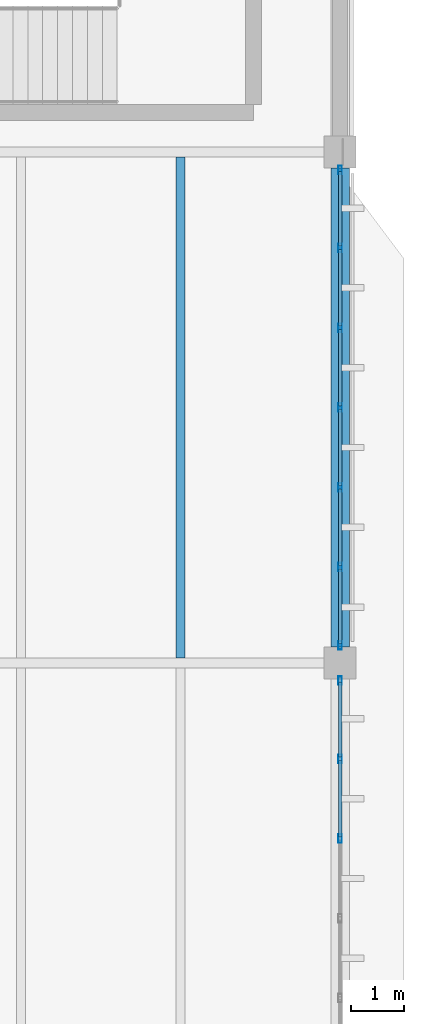
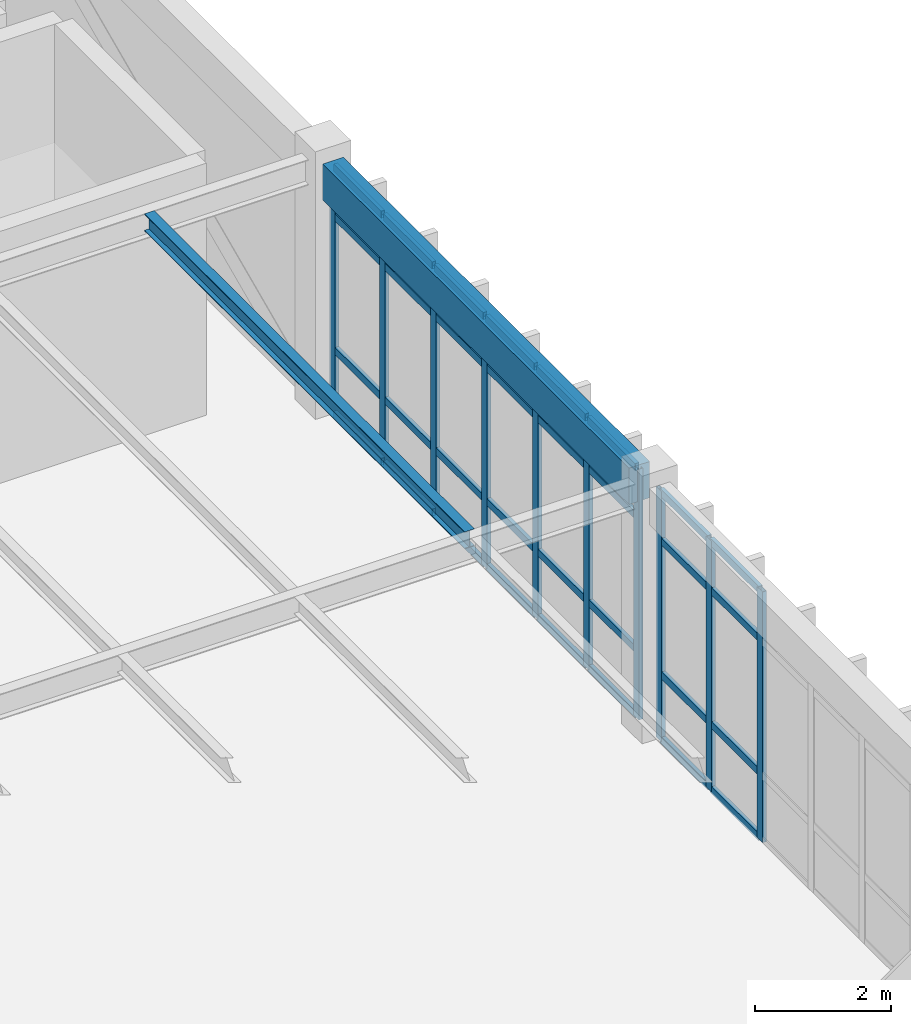
# One storey, part 126 of 236: 42 members, 2 beams, 2 elements without a shape of their own.
"""IFC4 building model written with IfcOpenShell, lengths in metres."""

from ifc_helpers import new_model, si_unit, direction, frame, origin, origin_2d, place, context, subcontext, project, spatial, rectangle, hollow_rectangle, i_section, extrude, material, layer, layer_set, material_profile, profile_set, type_object, element, aggregate, save


model = new_model("IFC4")

# Units and contexts
model_context = context("Model", 3, precision=1e-05, world=origin(), true_north=direction((0.0, 1.0)))
body_context = subcontext(model_context, "Body", "Model", "MODEL_VIEW")
ifc_project = project(units=[si_unit("LENGTHUNIT", "METRE"), si_unit("AREAUNIT", "SQUARE_METRE"), si_unit("VOLUMEUNIT", "CUBIC_METRE"), si_unit("PLANEANGLEUNIT", "RADIAN"), si_unit("MASSUNIT", "GRAM", prefix="KILO")], contexts=[model_context])

# Site, building, storey
site_placement = place(None, origin())
site = spatial("IfcSite", under=ifc_project, at=site_placement, CompositionType="ELEMENT")
building_placement = place(site_placement, origin())
building = spatial("IfcBuilding", under=site, at=building_placement, Name="Pandanus Reach Market Hall", CompositionType="ELEMENT")
storey_placement = place(building_placement, frame((0.0, 0.0, 5.39990234375)))
storey = spatial("IfcBuildingStorey", under=building, at=storey_placement, Name="L01", CompositionType="ELEMENT", Elevation=5.39990234375)

# Beam
ifc_material_1 = material(Name="Concrete N40 (40 MPa)", Category="concrete")
ifc_material_profile_1 = material_profile(ifc_material_1, rectangle(XDim=0.35009765625, YDim=0.64990234375, at=origin_2d()), Name="RC350x650", Category="LoadBearing")
ifc_profile_set_1 = profile_set([ifc_material_profile_1], Name="Concrete N40 (40 MPa)")
beam_type_1 = type_object("IfcBeamType", Name="BM-RC350-E", PredefinedType="SPANDREL", material=ifc_profile_set_1)
beam_1_placement = place(storey_placement, frame((180.0, 19.498046875, 4.215087890625), z_axis=(0.0, 1.0, 0.0), x_axis=(-1.0, 0.0, 0.0)))
element("IfcBeam", 1, at=beam_1_placement, inside=storey, type_object=beam_type_1, Name="Framing beam BM-RC350-E L01.364", PredefinedType="SPANDREL", context=body_context, shape_type="SweptSolid", body=[
    extrude(rectangle(XDim=0.35009765625, YDim=0.64990234375, at=origin_2d()), origin(), (0.0, 0.0, 1.0), 9.00390625),
])

# Curtain wall, members
ifc_material_2 = material(Name="Bronze anodised aluminium and low-E glass", Category="aluminium")
ifc_layer = layer(ifc_material_2, 0.159912109375, Name="CW-28")
ifc_layer_set = layer_set([ifc_layer], Name="Bronze anodised aluminium and low-E glass")
curtain_wall_type = type_object("IfcCurtainWallType", Name="CW-28", PredefinedType="NOTDEFINED", material=ifc_layer_set)
curtain_wall_1_placement = place(storey_placement, origin())
curtain_wall_1 = element("IfcCurtainWall", 2, at=curtain_wall_1_placement, inside=storey, type_object=curtain_wall_type, Name="Glazed curtain wall CW-28 CW-0085", PredefinedType="NOTDEFINED")
ifc_material_3 = material(Name="Bronze anodised aluminium", Category="aluminium")
ifc_material_profile_2 = material_profile(ifc_material_3, hollow_rectangle(XDim=0.06494140625, YDim=0.159912109375, WallThickness=0.00390625, at=origin_2d()), Name="ALU65x160", Category="LoadBearing")
ifc_profile_set_2 = profile_set([ifc_material_profile_2], Name="Bronze anodised aluminium")
member_type_1 = type_object("IfcMemberType", Name="CW-M1", PredefinedType="MULLION", material=ifc_profile_set_2)
member_1_placement = place(storey_placement, frame((180.0, 15.89990234375, 0.0), z_axis=(0.0, 0.0, 1.0), x_axis=(-1.0, 0.0, 0.0)))
member_1 = element("IfcMember", 3, at=member_1_placement, type_object=member_type_1, Name="CW-28 mullion 5", PredefinedType="MULLION", context=body_context, shape_type="SweptSolid", body=[
    extrude(hollow_rectangle(XDim=0.06494140625, YDim=0.159912109375, WallThickness=0.00390625, at=origin_2d()), origin(), (0.0, 0.0, 1.0), 4.5),
])
member_2_placement = place(storey_placement, frame((180.0, 17.39990234375, 0.0), z_axis=(0.0, 0.0, 1.0), x_axis=(-1.0, 0.0, 0.0)))
member_2 = element("IfcMember", 4, at=member_2_placement, type_object=member_type_1, Name="CW-28 mullion 6", PredefinedType="MULLION", context=body_context, shape_type="SweptSolid", body=[
    extrude(hollow_rectangle(XDim=0.06494140625, YDim=0.159912109375, WallThickness=0.00390625, at=origin_2d()), origin(), (0.0, 0.0, 1.0), 4.5),
])
member_3_placement = place(storey_placement, frame((180.0, 18.867431640625, 0.0), z_axis=(0.0, 0.0, 1.0), x_axis=(-1.0, 0.0, 0.0)))
member_3 = element("IfcMember", 5, at=member_3_placement, type_object=member_type_1, Name="CW-28 mullion 7", PredefinedType="MULLION", context=body_context, shape_type="SweptSolid", body=[
    extrude(hollow_rectangle(XDim=0.06494140625, YDim=0.159912109375, WallThickness=0.00390625, at=origin_2d()), origin(), (0.0, 0.0, 1.0), 4.5),
])

curtain_wall_2_placement = place(storey_placement, origin())
curtain_wall_2 = element("IfcCurtainWall", 6, at=curtain_wall_2_placement, inside=storey, type_object=curtain_wall_type, Name="Glazed curtain wall CW-28 CW-0086", PredefinedType="NOTDEFINED")
member_4_placement = place(storey_placement, frame((180.0, 19.532470703125, 0.0), z_axis=(0.0, 0.0, 1.0), x_axis=(-1.0, 0.0, 0.0)))
member_4 = element("IfcMember", 7, at=member_4_placement, type_object=member_type_1, Name="CW-28 mullion 1", PredefinedType="MULLION", context=body_context, shape_type="SweptSolid", body=[
    extrude(hollow_rectangle(XDim=0.06494140625, YDim=0.159912109375, WallThickness=0.00390625, at=origin_2d()), origin(), (0.0, 0.0, 1.0), 4.5),
])
member_5_placement = place(storey_placement, frame((180.0, 21.0, 0.0), z_axis=(0.0, 0.0, 1.0), x_axis=(-1.0, 0.0, 0.0)))
member_5 = element("IfcMember", 8, at=member_5_placement, type_object=member_type_1, Name="CW-28 mullion 2", PredefinedType="MULLION", context=body_context, shape_type="SweptSolid", body=[
    extrude(hollow_rectangle(XDim=0.06494140625, YDim=0.159912109375, WallThickness=0.00390625, at=origin_2d()), origin(), (0.0, 0.0, 1.0), 4.5),
])
member_6_placement = place(storey_placement, frame((180.0, 22.5, 0.0), z_axis=(0.0, 0.0, 1.0), x_axis=(-1.0, 0.0, 0.0)))
member_6 = element("IfcMember", 9, at=member_6_placement, type_object=member_type_1, Name="CW-28 mullion 3", PredefinedType="MULLION", context=body_context, shape_type="SweptSolid", body=[
    extrude(hollow_rectangle(XDim=0.06494140625, YDim=0.159912109375, WallThickness=0.00390625, at=origin_2d()), origin(), (0.0, 0.0, 1.0), 4.5),
])
member_7_placement = place(storey_placement, frame((180.0, 24.0, 0.0), z_axis=(0.0, 0.0, 1.0), x_axis=(-1.0, 0.0, 0.0)))
member_7 = element("IfcMember", 10, at=member_7_placement, type_object=member_type_1, Name="CW-28 mullion 4", PredefinedType="MULLION", context=body_context, shape_type="SweptSolid", body=[
    extrude(hollow_rectangle(XDim=0.06494140625, YDim=0.159912109375, WallThickness=0.00390625, at=origin_2d()), origin(), (0.0, 0.0, 1.0), 4.5),
])
member_8_placement = place(storey_placement, frame((180.0, 25.5, 0.0), z_axis=(0.0, 0.0, 1.0), x_axis=(-1.0, 0.0, 0.0)))
member_8 = element("IfcMember", 11, at=member_8_placement, type_object=member_type_1, Name="CW-28 mullion 5", PredefinedType="MULLION", context=body_context, shape_type="SweptSolid", body=[
    extrude(hollow_rectangle(XDim=0.06494140625, YDim=0.159912109375, WallThickness=0.00390625, at=origin_2d()), origin(), (0.0, 0.0, 1.0), 4.5),
])
member_9_placement = place(storey_placement, frame((180.0, 27.0, 0.0), z_axis=(0.0, 0.0, 1.0), x_axis=(-1.0, 0.0, 0.0)))
member_9 = element("IfcMember", 12, at=member_9_placement, type_object=member_type_1, Name="CW-28 mullion 6", PredefinedType="MULLION", context=body_context, shape_type="SweptSolid", body=[
    extrude(hollow_rectangle(XDim=0.06494140625, YDim=0.159912109375, WallThickness=0.00390625, at=origin_2d()), origin(), (0.0, 0.0, 1.0), 4.5),
])
member_10_placement = place(storey_placement, frame((180.0, 28.467529296875, 0.0), z_axis=(0.0, 0.0, 1.0), x_axis=(-1.0, 0.0, 0.0)))
member_10 = element("IfcMember", 13, at=member_10_placement, type_object=member_type_1, Name="CW-28 mullion 7", PredefinedType="MULLION", context=body_context, shape_type="SweptSolid", body=[
    extrude(hollow_rectangle(XDim=0.06494140625, YDim=0.159912109375, WallThickness=0.00390625, at=origin_2d()), origin(), (0.0, 0.0, 1.0), 4.5),
])

# Member
ifc_material_profile_3 = material_profile(ifc_material_3, hollow_rectangle(XDim=0.06494140625, YDim=0.1298828125, WallThickness=0.00390625, at=origin_2d()), Name="ALU65x130", Category="LoadBearing")
ifc_profile_set_3 = profile_set([ifc_material_profile_3], Name="Bronze anodised aluminium")
member_type_2 = type_object("IfcMemberType", Name="CW-T1", PredefinedType="USERDEFINED", material=ifc_profile_set_3)
member_11_placement = place(storey_placement, frame((180.0, 15.9326171875, 0.03271484375), z_axis=(0.0, 1.0, 0.0), x_axis=(-1.0, 0.0, 0.0)))
member_11 = element("IfcMember", 14, at=member_11_placement, type_object=member_type_2, Name="CW-28 transom 5.1", ObjectType="TRANSOM", PredefinedType="USERDEFINED", context=body_context, shape_type="SweptSolid", body=[
    extrude(hollow_rectangle(XDim=0.06494140625, YDim=0.1298828125, WallThickness=0.00390625, at=origin_2d()), origin(), (0.0, 0.0, 1.0), 1.434814453125),
])

member_12_placement = place(storey_placement, frame((180.0, 15.9326171875, 1.2001953125), z_axis=(0.0, 1.0, 0.0), x_axis=(-1.0, 0.0, 0.0)))
member_12 = element("IfcMember", 15, at=member_12_placement, type_object=member_type_2, Name="CW-28 transom 5.2", ObjectType="TRANSOM", PredefinedType="USERDEFINED", context=body_context, shape_type="SweptSolid", body=[
    extrude(hollow_rectangle(XDim=0.06494140625, YDim=0.1298828125, WallThickness=0.00390625, at=origin_2d()), origin(), (0.0, 0.0, 1.0), 1.434814453125),
])

member_13_placement = place(storey_placement, frame((180.0, 15.9326171875, 3.60009765625), z_axis=(0.0, 1.0, 0.0), x_axis=(-1.0, 0.0, 0.0)))
member_13 = element("IfcMember", 16, at=member_13_placement, type_object=member_type_2, Name="CW-28 transom 5.3", ObjectType="TRANSOM", PredefinedType="USERDEFINED", context=body_context, shape_type="SweptSolid", body=[
    extrude(hollow_rectangle(XDim=0.06494140625, YDim=0.1298828125, WallThickness=0.00390625, at=origin_2d()), origin(), (0.0, 0.0, 1.0), 1.434814453125),
])

member_14_placement = place(storey_placement, frame((180.0, 15.9326171875, 4.467529296875), z_axis=(0.0, 1.0, 0.0), x_axis=(-1.0, 0.0, 0.0)))
member_14 = element("IfcMember", 17, at=member_14_placement, type_object=member_type_2, Name="CW-28 transom 5.4", ObjectType="TRANSOM", PredefinedType="USERDEFINED", context=body_context, shape_type="SweptSolid", body=[
    extrude(hollow_rectangle(XDim=0.06494140625, YDim=0.1298828125, WallThickness=0.00390625, at=origin_2d()), origin(), (0.0, 0.0, 1.0), 1.434814453125),
])

member_15_placement = place(storey_placement, frame((180.0, 17.4326171875, 0.03271484375), z_axis=(0.0, 1.0, 0.0), x_axis=(-1.0, 0.0, 0.0)))
member_15 = element("IfcMember", 18, at=member_15_placement, type_object=member_type_2, Name="CW-28 transom 6.1", ObjectType="TRANSOM", PredefinedType="USERDEFINED", context=body_context, shape_type="SweptSolid", body=[
    extrude(hollow_rectangle(XDim=0.06494140625, YDim=0.1298828125, WallThickness=0.00390625, at=origin_2d()), origin(), (0.0, 0.0, 1.0), 1.40234375),
])

member_16_placement = place(storey_placement, frame((180.0, 17.4326171875, 1.2001953125), z_axis=(0.0, 1.0, 0.0), x_axis=(-1.0, 0.0, 0.0)))
member_16 = element("IfcMember", 19, at=member_16_placement, type_object=member_type_2, Name="CW-28 transom 6.2", ObjectType="TRANSOM", PredefinedType="USERDEFINED", context=body_context, shape_type="SweptSolid", body=[
    extrude(hollow_rectangle(XDim=0.06494140625, YDim=0.1298828125, WallThickness=0.00390625, at=origin_2d()), origin(), (0.0, 0.0, 1.0), 1.40234375),
])

member_17_placement = place(storey_placement, frame((180.0, 17.4326171875, 3.60009765625), z_axis=(0.0, 1.0, 0.0), x_axis=(-1.0, 0.0, 0.0)))
member_17 = element("IfcMember", 20, at=member_17_placement, type_object=member_type_2, Name="CW-28 transom 6.3", ObjectType="TRANSOM", PredefinedType="USERDEFINED", context=body_context, shape_type="SweptSolid", body=[
    extrude(hollow_rectangle(XDim=0.06494140625, YDim=0.1298828125, WallThickness=0.00390625, at=origin_2d()), origin(), (0.0, 0.0, 1.0), 1.40234375),
])

member_18_placement = place(storey_placement, frame((180.0, 17.4326171875, 4.467529296875), z_axis=(0.0, 1.0, 0.0), x_axis=(-1.0, 0.0, 0.0)))
member_18 = element("IfcMember", 21, at=member_18_placement, type_object=member_type_2, Name="CW-28 transom 6.4", ObjectType="TRANSOM", PredefinedType="USERDEFINED", context=body_context, shape_type="SweptSolid", body=[
    extrude(hollow_rectangle(XDim=0.06494140625, YDim=0.1298828125, WallThickness=0.00390625, at=origin_2d()), origin(), (0.0, 0.0, 1.0), 1.40234375),
])

aggregate(curtain_wall_1, [member_1, member_2, member_3, member_11, member_12, member_13, member_14, member_15, member_16, member_17, member_18])

member_19_placement = place(storey_placement, frame((180.0, 19.56494140625, 0.03271484375), z_axis=(0.0, 1.0, 0.0), x_axis=(-1.0, 0.0, 0.0)))
member_19 = element("IfcMember", 22, at=member_19_placement, type_object=member_type_2, Name="CW-28 transom 1.1", ObjectType="TRANSOM", PredefinedType="USERDEFINED", context=body_context, shape_type="SweptSolid", body=[
    extrude(hollow_rectangle(XDim=0.06494140625, YDim=0.1298828125, WallThickness=0.00390625, at=origin_2d()), origin(), (0.0, 0.0, 1.0), 1.402587890625),
])

member_20_placement = place(storey_placement, frame((180.0, 19.56494140625, 1.2001953125), z_axis=(0.0, 1.0, 0.0), x_axis=(-1.0, 0.0, 0.0)))
member_20 = element("IfcMember", 23, at=member_20_placement, type_object=member_type_2, Name="CW-28 transom 1.2", ObjectType="TRANSOM", PredefinedType="USERDEFINED", context=body_context, shape_type="SweptSolid", body=[
    extrude(hollow_rectangle(XDim=0.06494140625, YDim=0.1298828125, WallThickness=0.00390625, at=origin_2d()), origin(), (0.0, 0.0, 1.0), 1.402587890625),
])

member_21_placement = place(storey_placement, frame((180.0, 19.56494140625, 3.60009765625), z_axis=(0.0, 1.0, 0.0), x_axis=(-1.0, 0.0, 0.0)))
member_21 = element("IfcMember", 24, at=member_21_placement, type_object=member_type_2, Name="CW-28 transom 1.3", ObjectType="TRANSOM", PredefinedType="USERDEFINED", context=body_context, shape_type="SweptSolid", body=[
    extrude(hollow_rectangle(XDim=0.06494140625, YDim=0.1298828125, WallThickness=0.00390625, at=origin_2d()), origin(), (0.0, 0.0, 1.0), 1.402587890625),
])

member_22_placement = place(storey_placement, frame((180.0, 19.56494140625, 4.467529296875), z_axis=(0.0, 1.0, 0.0), x_axis=(-1.0, 0.0, 0.0)))
member_22 = element("IfcMember", 25, at=member_22_placement, type_object=member_type_2, Name="CW-28 transom 1.4", ObjectType="TRANSOM", PredefinedType="USERDEFINED", context=body_context, shape_type="SweptSolid", body=[
    extrude(hollow_rectangle(XDim=0.06494140625, YDim=0.1298828125, WallThickness=0.00390625, at=origin_2d()), origin(), (0.0, 0.0, 1.0), 1.402587890625),
])

member_23_placement = place(storey_placement, frame((180.0, 21.032470703125, 0.03271484375), z_axis=(0.0, 1.0, 0.0), x_axis=(-1.0, 0.0, 0.0)))
member_23 = element("IfcMember", 26, at=member_23_placement, type_object=member_type_2, Name="CW-28 transom 2.1", ObjectType="TRANSOM", PredefinedType="USERDEFINED", context=body_context, shape_type="SweptSolid", body=[
    extrude(hollow_rectangle(XDim=0.06494140625, YDim=0.1298828125, WallThickness=0.00390625, at=origin_2d()), origin(), (0.0, 0.0, 1.0), 1.43505859375),
])

member_24_placement = place(storey_placement, frame((180.0, 21.032470703125, 1.2001953125), z_axis=(0.0, 1.0, 0.0), x_axis=(-1.0, 0.0, 0.0)))
member_24 = element("IfcMember", 27, at=member_24_placement, type_object=member_type_2, Name="CW-28 transom 2.2", ObjectType="TRANSOM", PredefinedType="USERDEFINED", context=body_context, shape_type="SweptSolid", body=[
    extrude(hollow_rectangle(XDim=0.06494140625, YDim=0.1298828125, WallThickness=0.00390625, at=origin_2d()), origin(), (0.0, 0.0, 1.0), 1.43505859375),
])

member_25_placement = place(storey_placement, frame((180.0, 21.032470703125, 3.60009765625), z_axis=(0.0, 1.0, 0.0), x_axis=(-1.0, 0.0, 0.0)))
member_25 = element("IfcMember", 28, at=member_25_placement, type_object=member_type_2, Name="CW-28 transom 2.3", ObjectType="TRANSOM", PredefinedType="USERDEFINED", context=body_context, shape_type="SweptSolid", body=[
    extrude(hollow_rectangle(XDim=0.06494140625, YDim=0.1298828125, WallThickness=0.00390625, at=origin_2d()), origin(), (0.0, 0.0, 1.0), 1.43505859375),
])

member_26_placement = place(storey_placement, frame((180.0, 21.032470703125, 4.467529296875), z_axis=(0.0, 1.0, 0.0), x_axis=(-1.0, 0.0, 0.0)))
member_26 = element("IfcMember", 29, at=member_26_placement, type_object=member_type_2, Name="CW-28 transom 2.4", ObjectType="TRANSOM", PredefinedType="USERDEFINED", context=body_context, shape_type="SweptSolid", body=[
    extrude(hollow_rectangle(XDim=0.06494140625, YDim=0.1298828125, WallThickness=0.00390625, at=origin_2d()), origin(), (0.0, 0.0, 1.0), 1.43505859375),
])

member_27_placement = place(storey_placement, frame((180.0, 22.532470703125, 0.03271484375), z_axis=(0.0, 1.0, 0.0), x_axis=(-1.0, 0.0, 0.0)))
member_27 = element("IfcMember", 30, at=member_27_placement, type_object=member_type_2, Name="CW-28 transom 3.1", ObjectType="TRANSOM", PredefinedType="USERDEFINED", context=body_context, shape_type="SweptSolid", body=[
    extrude(hollow_rectangle(XDim=0.06494140625, YDim=0.1298828125, WallThickness=0.00390625, at=origin_2d()), origin(), (0.0, 0.0, 1.0), 1.43505859375),
])

member_28_placement = place(storey_placement, frame((180.0, 22.532470703125, 1.2001953125), z_axis=(0.0, 1.0, 0.0), x_axis=(-1.0, 0.0, 0.0)))
member_28 = element("IfcMember", 31, at=member_28_placement, type_object=member_type_2, Name="CW-28 transom 3.2", ObjectType="TRANSOM", PredefinedType="USERDEFINED", context=body_context, shape_type="SweptSolid", body=[
    extrude(hollow_rectangle(XDim=0.06494140625, YDim=0.1298828125, WallThickness=0.00390625, at=origin_2d()), origin(), (0.0, 0.0, 1.0), 1.43505859375),
])

member_29_placement = place(storey_placement, frame((180.0, 22.532470703125, 3.60009765625), z_axis=(0.0, 1.0, 0.0), x_axis=(-1.0, 0.0, 0.0)))
member_29 = element("IfcMember", 32, at=member_29_placement, type_object=member_type_2, Name="CW-28 transom 3.3", ObjectType="TRANSOM", PredefinedType="USERDEFINED", context=body_context, shape_type="SweptSolid", body=[
    extrude(hollow_rectangle(XDim=0.06494140625, YDim=0.1298828125, WallThickness=0.00390625, at=origin_2d()), origin(), (0.0, 0.0, 1.0), 1.43505859375),
])

member_30_placement = place(storey_placement, frame((180.0, 22.532470703125, 4.467529296875), z_axis=(0.0, 1.0, 0.0), x_axis=(-1.0, 0.0, 0.0)))
member_30 = element("IfcMember", 33, at=member_30_placement, type_object=member_type_2, Name="CW-28 transom 3.4", ObjectType="TRANSOM", PredefinedType="USERDEFINED", context=body_context, shape_type="SweptSolid", body=[
    extrude(hollow_rectangle(XDim=0.06494140625, YDim=0.1298828125, WallThickness=0.00390625, at=origin_2d()), origin(), (0.0, 0.0, 1.0), 1.43505859375),
])

member_31_placement = place(storey_placement, frame((180.0, 24.032470703125, 0.03271484375), z_axis=(0.0, 1.0, 0.0), x_axis=(-1.0, 0.0, 0.0)))
member_31 = element("IfcMember", 34, at=member_31_placement, type_object=member_type_2, Name="CW-28 transom 4.1", ObjectType="TRANSOM", PredefinedType="USERDEFINED", context=body_context, shape_type="SweptSolid", body=[
    extrude(hollow_rectangle(XDim=0.06494140625, YDim=0.1298828125, WallThickness=0.00390625, at=origin_2d()), origin(), (0.0, 0.0, 1.0), 1.43505859375),
])

member_32_placement = place(storey_placement, frame((180.0, 24.032470703125, 1.2001953125), z_axis=(0.0, 1.0, 0.0), x_axis=(-1.0, 0.0, 0.0)))
member_32 = element("IfcMember", 35, at=member_32_placement, type_object=member_type_2, Name="CW-28 transom 4.2", ObjectType="TRANSOM", PredefinedType="USERDEFINED", context=body_context, shape_type="SweptSolid", body=[
    extrude(hollow_rectangle(XDim=0.06494140625, YDim=0.1298828125, WallThickness=0.00390625, at=origin_2d()), origin(), (0.0, 0.0, 1.0), 1.43505859375),
])

member_33_placement = place(storey_placement, frame((180.0, 24.032470703125, 3.60009765625), z_axis=(0.0, 1.0, 0.0), x_axis=(-1.0, 0.0, 0.0)))
member_33 = element("IfcMember", 36, at=member_33_placement, type_object=member_type_2, Name="CW-28 transom 4.3", ObjectType="TRANSOM", PredefinedType="USERDEFINED", context=body_context, shape_type="SweptSolid", body=[
    extrude(hollow_rectangle(XDim=0.06494140625, YDim=0.1298828125, WallThickness=0.00390625, at=origin_2d()), origin(), (0.0, 0.0, 1.0), 1.43505859375),
])

member_34_placement = place(storey_placement, frame((180.0, 24.032470703125, 4.467529296875), z_axis=(0.0, 1.0, 0.0), x_axis=(-1.0, 0.0, 0.0)))
member_34 = element("IfcMember", 37, at=member_34_placement, type_object=member_type_2, Name="CW-28 transom 4.4", ObjectType="TRANSOM", PredefinedType="USERDEFINED", context=body_context, shape_type="SweptSolid", body=[
    extrude(hollow_rectangle(XDim=0.06494140625, YDim=0.1298828125, WallThickness=0.00390625, at=origin_2d()), origin(), (0.0, 0.0, 1.0), 1.43505859375),
])

member_35_placement = place(storey_placement, frame((180.0, 25.532470703125, 0.03271484375), z_axis=(0.0, 1.0, 0.0), x_axis=(-1.0, 0.0, 0.0)))
member_35 = element("IfcMember", 38, at=member_35_placement, type_object=member_type_2, Name="CW-28 transom 5.1", ObjectType="TRANSOM", PredefinedType="USERDEFINED", context=body_context, shape_type="SweptSolid", body=[
    extrude(hollow_rectangle(XDim=0.06494140625, YDim=0.1298828125, WallThickness=0.00390625, at=origin_2d()), origin(), (0.0, 0.0, 1.0), 1.43505859375),
])

member_36_placement = place(storey_placement, frame((180.0, 25.532470703125, 1.2001953125), z_axis=(0.0, 1.0, 0.0), x_axis=(-1.0, 0.0, 0.0)))
member_36 = element("IfcMember", 39, at=member_36_placement, type_object=member_type_2, Name="CW-28 transom 5.2", ObjectType="TRANSOM", PredefinedType="USERDEFINED", context=body_context, shape_type="SweptSolid", body=[
    extrude(hollow_rectangle(XDim=0.06494140625, YDim=0.1298828125, WallThickness=0.00390625, at=origin_2d()), origin(), (0.0, 0.0, 1.0), 1.43505859375),
])

member_37_placement = place(storey_placement, frame((180.0, 25.532470703125, 3.60009765625), z_axis=(0.0, 1.0, 0.0), x_axis=(-1.0, 0.0, 0.0)))
member_37 = element("IfcMember", 40, at=member_37_placement, type_object=member_type_2, Name="CW-28 transom 5.3", ObjectType="TRANSOM", PredefinedType="USERDEFINED", context=body_context, shape_type="SweptSolid", body=[
    extrude(hollow_rectangle(XDim=0.06494140625, YDim=0.1298828125, WallThickness=0.00390625, at=origin_2d()), origin(), (0.0, 0.0, 1.0), 1.43505859375),
])

member_38_placement = place(storey_placement, frame((180.0, 25.532470703125, 4.467529296875), z_axis=(0.0, 1.0, 0.0), x_axis=(-1.0, 0.0, 0.0)))
member_38 = element("IfcMember", 41, at=member_38_placement, type_object=member_type_2, Name="CW-28 transom 5.4", ObjectType="TRANSOM", PredefinedType="USERDEFINED", context=body_context, shape_type="SweptSolid", body=[
    extrude(hollow_rectangle(XDim=0.06494140625, YDim=0.1298828125, WallThickness=0.00390625, at=origin_2d()), origin(), (0.0, 0.0, 1.0), 1.43505859375),
])

member_39_placement = place(storey_placement, frame((180.0, 27.032470703125, 0.03271484375), z_axis=(0.0, 1.0, 0.0), x_axis=(-1.0, 0.0, 0.0)))
member_39 = element("IfcMember", 42, at=member_39_placement, type_object=member_type_2, Name="CW-28 transom 6.1", ObjectType="TRANSOM", PredefinedType="USERDEFINED", context=body_context, shape_type="SweptSolid", body=[
    extrude(hollow_rectangle(XDim=0.06494140625, YDim=0.1298828125, WallThickness=0.00390625, at=origin_2d()), origin(), (0.0, 0.0, 1.0), 1.402587890625),
])

member_40_placement = place(storey_placement, frame((180.0, 27.032470703125, 1.2001953125), z_axis=(0.0, 1.0, 0.0), x_axis=(-1.0, 0.0, 0.0)))
member_40 = element("IfcMember", 43, at=member_40_placement, type_object=member_type_2, Name="CW-28 transom 6.2", ObjectType="TRANSOM", PredefinedType="USERDEFINED", context=body_context, shape_type="SweptSolid", body=[
    extrude(hollow_rectangle(XDim=0.06494140625, YDim=0.1298828125, WallThickness=0.00390625, at=origin_2d()), origin(), (0.0, 0.0, 1.0), 1.402587890625),
])

member_41_placement = place(storey_placement, frame((180.0, 27.032470703125, 3.60009765625), z_axis=(0.0, 1.0, 0.0), x_axis=(-1.0, 0.0, 0.0)))
member_41 = element("IfcMember", 44, at=member_41_placement, type_object=member_type_2, Name="CW-28 transom 6.3", ObjectType="TRANSOM", PredefinedType="USERDEFINED", context=body_context, shape_type="SweptSolid", body=[
    extrude(hollow_rectangle(XDim=0.06494140625, YDim=0.1298828125, WallThickness=0.00390625, at=origin_2d()), origin(), (0.0, 0.0, 1.0), 1.402587890625),
])

member_42_placement = place(storey_placement, frame((180.0, 27.032470703125, 4.467529296875), z_axis=(0.0, 1.0, 0.0), x_axis=(-1.0, 0.0, 0.0)))
member_42 = element("IfcMember", 45, at=member_42_placement, type_object=member_type_2, Name="CW-28 transom 6.4", ObjectType="TRANSOM", PredefinedType="USERDEFINED", context=body_context, shape_type="SweptSolid", body=[
    extrude(hollow_rectangle(XDim=0.06494140625, YDim=0.1298828125, WallThickness=0.00390625, at=origin_2d()), origin(), (0.0, 0.0, 1.0), 1.402587890625),
])

aggregate(curtain_wall_2, [member_4, member_5, member_6, member_7, member_8, member_9, member_10, member_19, member_20, member_21, member_22, member_23, member_24, member_25, member_26, member_27, member_28, member_29, member_30, member_31, member_32, member_33, member_34, member_35, member_36, member_37, member_38, member_39, member_40, member_41, member_42])

# Beam
ifc_material_4 = material(Name="Steel Grade 350 (350 MPa)", Category="steel")
ifc_material_profile_4 = material_profile(ifc_material_4, i_section(OverallWidth=0.166015625, OverallDepth=0.306884765625, WebThickness=0.006591796875, FlangeThickness=0.01171875, at=origin_2d()), Name="310UB46.2", Category="LoadBearing")
ifc_profile_set_4 = profile_set([ifc_material_profile_4], Name="Steel Grade 350 (350 MPa)")
beam_type_2 = type_object("IfcBeamType", Name="JS-UB310H-I", PredefinedType="JOIST", material=ifc_profile_set_4)
beam_2_placement = place(storey_placement, frame((177.0, 19.29296875, 4.38623046875), z_axis=(0.0, 1.0, 0.0), x_axis=(-1.0, 0.0, 0.0)))
element("IfcBeam", 46, at=beam_2_placement, inside=storey, type_object=beam_type_2, Name="Secondary joist JS-UB310H-I L01.421", PredefinedType="JOIST", context=body_context, shape_type="SweptSolid", body=[
    extrude(i_section(OverallWidth=0.166015625, OverallDepth=0.306884765625, WebThickness=0.006591796875, FlangeThickness=0.01171875, at=origin_2d()), origin(), (0.0, 0.0, 1.0), 9.4140625),
])

save(model, "model.ifc")
